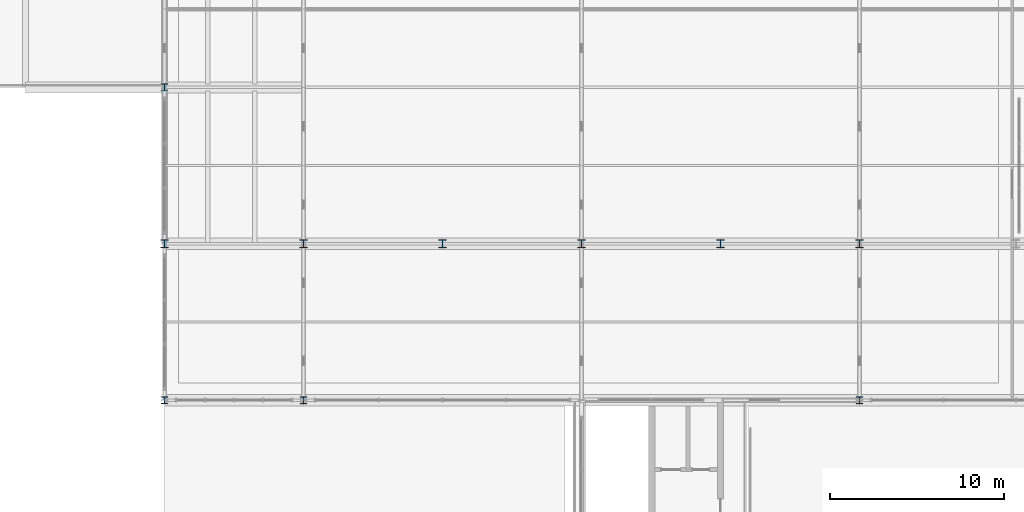
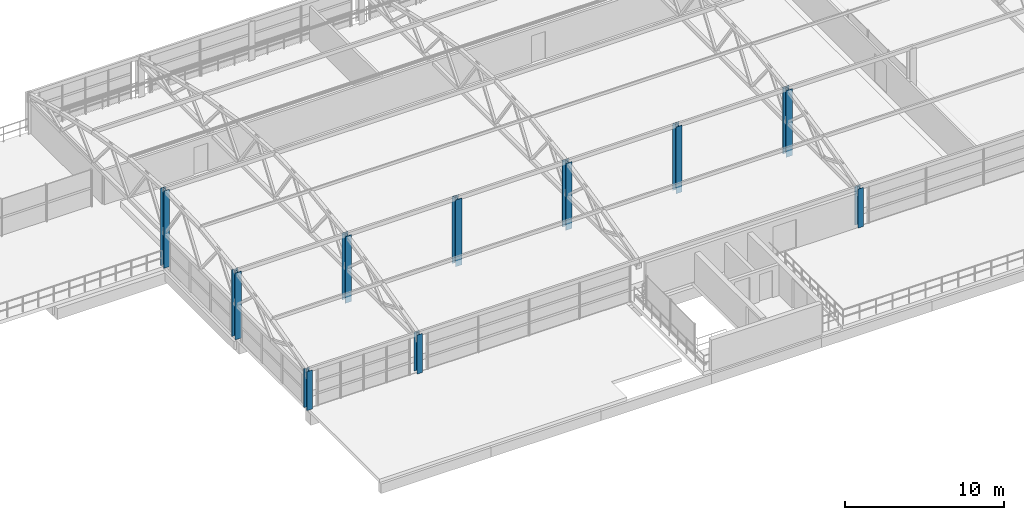
# One storey, part 2 of 50: 10 columns.
"""IFC4 building model written with IfcOpenShell, lengths in metres."""

from ifc_helpers import new_model, si_unit, derived_unit, direction, frame, origin, origin_2d, place, context, subcontext, project, spatial, i_section, extrude, material, material_profile, profile_set, type_object, element, save


model = new_model("IFC4")

# Units and contexts
model_context = context("Model", 3, precision=1e-05, world=origin(), true_north=direction((0.0, 1.0)))
body_context = subcontext(model_context, "Body", "Model", "MODEL_VIEW")
ifc_project = project(units=[si_unit("LENGTHUNIT", "METRE"), si_unit("AREAUNIT", "SQUARE_METRE"), si_unit("VOLUMEUNIT", "CUBIC_METRE"), si_unit("PLANEANGLEUNIT", "RADIAN"), si_unit("MASSUNIT", "GRAM", prefix="KILO"), si_unit("THERMODYNAMICTEMPERATUREUNIT", "KELVIN"), derived_unit("THERMALTRANSMITTANCEUNIT", [(si_unit("POWERUNIT", "WATT"), 1), (si_unit("AREAUNIT", "SQUARE_METRE"), -1), (si_unit("THERMODYNAMICTEMPERATUREUNIT", "KELVIN"), -1)])], contexts=[model_context])

# Site, building, storey
site_placement = place(None, origin())
site = spatial("IfcSite", under=ifc_project, at=site_placement, CompositionType="ELEMENT")
building_placement = place(site_placement, origin())
building = spatial("IfcBuilding", under=site, at=building_placement, Name="Haiyu Intermodal Mobility Hub", CompositionType="ELEMENT")
storey_placement = place(building_placement, frame((0.0, 0.0, 25.10009765625)))
storey = spatial("IfcBuildingStorey", under=building, at=storey_placement, Name="L06", CompositionType="ELEMENT", Elevation=25.10009765625)

# Columns
ifc_material = material(Name="Steel Q355C", Category="steel")
ifc_material_profile_1 = material_profile(ifc_material, i_section(OverallWidth=0.449951171875, OverallDepth=0.449951171875, WebThickness=0.01611328125, FlangeThickness=0.02587890625, FilletRadius=0.02197265625, at=origin_2d()), Name="HW450x450x16x26")
ifc_profile_set_1 = profile_set([ifc_material_profile_1], Name="Steel Q355C")
column_type_1 = type_object("IfcColumnType", Name="COL-SC04", PredefinedType="COLUMN", material=ifc_profile_set_1)
for number, where, z_axis, x_axis, name in (
    (1, (38.0, 122.0, 0.0), (0.0, 0.0, 1.0), (1.0, 0.0, 0.0), "Column V4-4P L06"),
    (2, (46.0, 122.0, 0.0), (0.0, 0.0, 1.0), (1.0, 0.0, 0.0), "Column V4-5P L06"),
    (3, (54.0, 122.0, 0.0), (0.0, 0.0, 1.0), (1.0, 0.0, 0.0), "Column V4-6P L06"),
    (4, (62.0, 122.0, 0.0), (0.0, 0.0, 1.0), (1.0, 0.0, 0.0), "Column V4-7P L06"),
    (5, (70.0, 122.0, 0.0), (0.0, 0.0, 1.0), (1.0, 0.0, 0.0), "Column V4-8P L06"),
    (6, (78.0, 122.0, 0.0), (0.0, 0.0, 1.0), (1.0, 0.0, 0.0), "Column V4-9P L06"),
):
    element("IfcColumn", number, at=place(storey_placement, frame(where, z_axis=z_axis, x_axis=x_axis)), inside=storey, type_object=column_type_1, Name=name, PredefinedType="COLUMN", context=body_context, shape_type="SweptSolid", body=[
        extrude(i_section(OverallWidth=0.449951171875, OverallDepth=0.449951171875, WebThickness=0.01611328125, FlangeThickness=0.02587890625, FilletRadius=0.02197265625, at=origin_2d()), origin(), (0.0, 0.0, 1.0), 5.121826171875),
    ])
ifc_material_profile_2 = material_profile(ifc_material, i_section(OverallWidth=0.39990234375, OverallDepth=0.39990234375, WebThickness=0.012939453125, FlangeThickness=0.02099609375, FilletRadius=0.02197265625, at=origin_2d()), Name="HW400x400x13x21")
ifc_profile_set_2 = profile_set([ifc_material_profile_2], Name="Steel Q355C")
column_type_2 = type_object("IfcColumnType", Name="COL-SC05", PredefinedType="COLUMN", material=ifc_profile_set_2)
column_placement = place(storey_placement, frame((38.0, 131.0, 0.0), z_axis=(0.0, 0.0, 1.0), x_axis=(1.0, 0.0, 0.0)))
element("IfcColumn", 7, at=column_placement, inside=storey, type_object=column_type_2, Name="Column V4-4Q L06", PredefinedType="COLUMN", context=body_context, shape_type="SweptSolid", body=[
    extrude(i_section(OverallWidth=0.39990234375, OverallDepth=0.39990234375, WebThickness=0.012939453125, FlangeThickness=0.02099609375, FilletRadius=0.02197265625, at=origin_2d()), origin(), (0.0, 0.0, 1.0), 5.93701171875),
])
for number, where, z_axis, x_axis, name in (
    (8, (38.0, 113.0, 0.0), (0.0, 0.0, 1.0), (1.0, 0.0, 0.0), "Column V3S-4N L06"),
    (9, (46.0, 113.0, 0.0), (0.0, 0.0, 1.0), (1.0, 0.0, 0.0), "Column V3S-5N L06"),
    (10, (78.0, 113.0, 0.0), (0.0, 0.0, 1.0), (1.0, 0.0, 0.0), "Column V3S-9N L06"),
):
    element("IfcColumn", number, at=place(storey_placement, frame(where, z_axis=z_axis, x_axis=x_axis)), inside=storey, type_object=column_type_2, Name=name, PredefinedType="COLUMN", context=body_context, shape_type="SweptSolid", body=[
        extrude(i_section(OverallWidth=0.39990234375, OverallDepth=0.39990234375, WebThickness=0.012939453125, FlangeThickness=0.02099609375, FilletRadius=0.02197265625, at=origin_2d()), origin(), (0.0, 0.0, 1.0), 2.989990234375),
    ])

save(model, "model.ifc")
